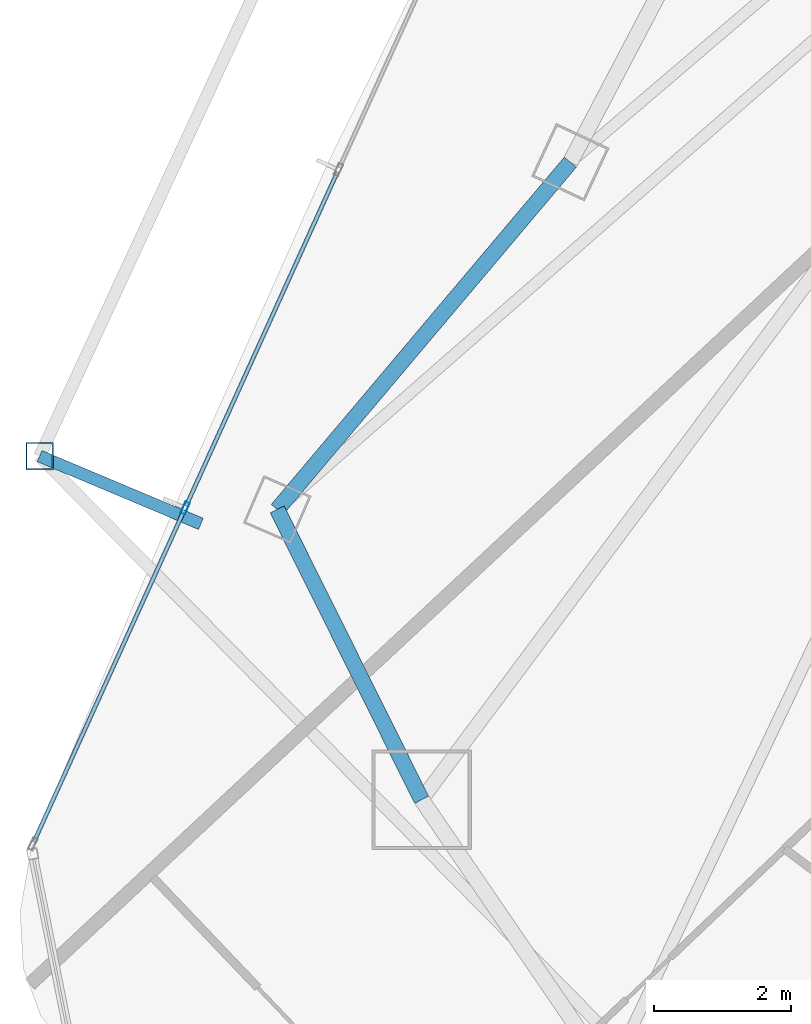
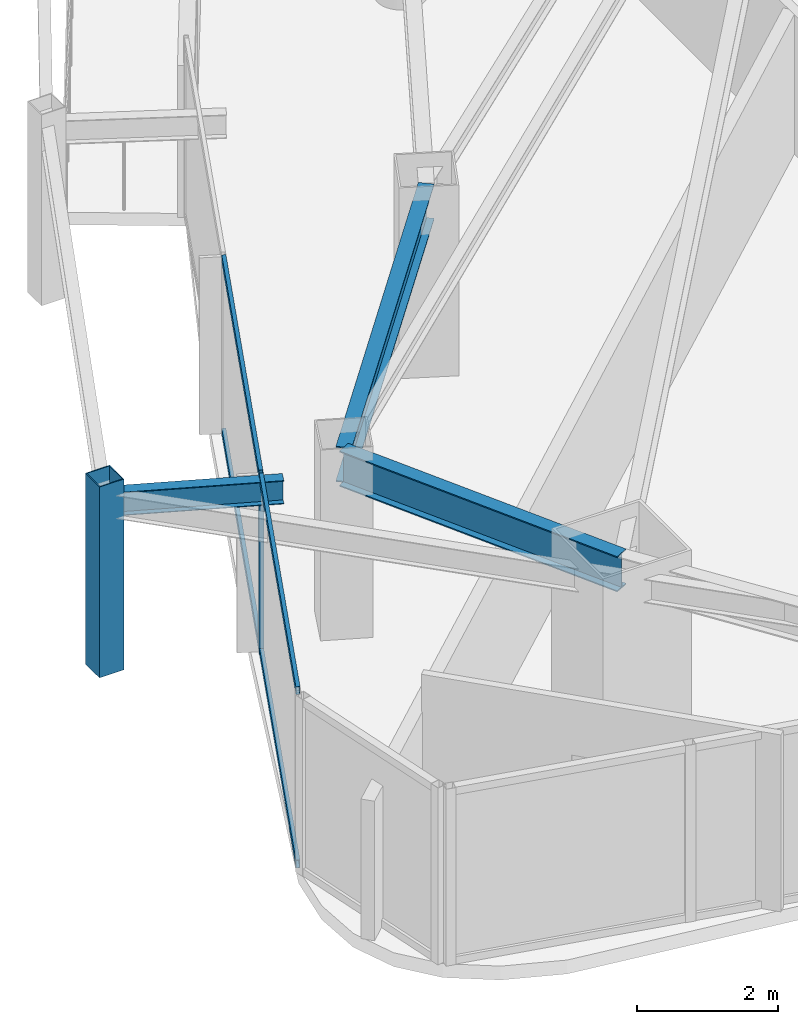
# One storey, part 5 of 29: 6 members, 3 beams, 1 element without a shape of its own.
"""IFC4 building model written with IfcOpenShell, lengths in metres."""

from ifc_helpers import new_model, si_unit, direction, frame, origin, origin_2d, place, context, subcontext, project, spatial, hollow_rectangle, i_section, extrude, material, layer, layer_set, material_profile, profile_set, type_object, element, aggregate, save


model = new_model("IFC4")

# Units and contexts
model_context = context("Model", 3, precision=1e-05, world=origin(), true_north=direction((0.0, 1.0)))
body_context = subcontext(model_context, "Body", "Model", "MODEL_VIEW")
ifc_project = project(units=[si_unit("LENGTHUNIT", "METRE"), si_unit("AREAUNIT", "SQUARE_METRE"), si_unit("VOLUMEUNIT", "CUBIC_METRE"), si_unit("PLANEANGLEUNIT", "RADIAN"), si_unit("MASSUNIT", "GRAM", prefix="KILO")], contexts=[model_context])

# Site, building, storey
site_placement = place(None, origin())
site = spatial("IfcSite", under=ifc_project, at=site_placement, CompositionType="ELEMENT")
building_placement = place(site_placement, origin())
building = spatial("IfcBuilding", under=site, at=building_placement, Name="Orvanel Arch Residences", CompositionType="ELEMENT")
storey_placement = place(building_placement, frame((0.0, 0.0, 170.449951171875)))
storey = spatial("IfcBuildingStorey", under=building, at=storey_placement, Name="L48", CompositionType="ELEMENT", Elevation=170.449951171875)

# Curtain wall, member
ifc_material_1 = material(Name="Bronze-anodised aluminium AA6063-T6", Category="aluminium")
ifc_layer = layer(ifc_material_1, 0.179931640625)
ifc_layer_set = layer_set([ifc_layer], Name="Bronze-anodised aluminium AA6063-T6")
curtain_wall_type = type_object("IfcCurtainWallType", Name="CW3-MID-SYS", PredefinedType="NOTDEFINED", material=ifc_layer_set)
curtain_wall_placement = place(storey_placement, origin())
curtain_wall = element("IfcCurtainWall", 1, at=curtain_wall_placement, inside=storey, type_object=curtain_wall_type, Name="L48 CW3-MID-SYS Unitised Curtain Wall", PredefinedType="NOTDEFINED")
ifc_material_profile_1 = material_profile(ifc_material_1, hollow_rectangle(XDim=0.070068359375, YDim=0.179931640625, WallThickness=0.00439453125, at=origin_2d()), Name="ALU180x70x4.5")
ifc_profile_set_1 = profile_set([ifc_material_profile_1], Name="Bronze-anodised aluminium AA6063-T6")
member_type_1 = type_object("IfcMemberType", Name="MUL-180x70", PredefinedType="MULLION", material=ifc_profile_set_1)
member_1_placement = place(storey_placement, frame((10.75341796875, 14.60107421875, 0.0), z_axis=(0.0, 0.0, 1.0), x_axis=(0.910855054441, -0.412726386119, 0.0)))
member_1 = element("IfcMember", 2, at=member_1_placement, type_object=member_type_1, Name="CW-S3 mullion 3", PredefinedType="MULLION", context=body_context, shape_type="SweptSolid", body=[
    extrude(hollow_rectangle(XDim=0.070068359375, YDim=0.179931640625, WallThickness=0.00439453125, at=origin_2d()), origin(), (0.0, 0.0, 1.0), 3.06005859375),
])

# Beams
ifc_material_2 = material(Name="Structural steel AS/NZS 3679.1 Grade 300 (300 MPa)", Category="steel")
ifc_material_profile_2 = material_profile(ifc_material_2, i_section(OverallWidth=0.177978515625, OverallDepth=0.406005859375, WebThickness=0.0078125, FlangeThickness=0.0126953125, at=origin_2d()), Name="410UB59.7")
ifc_profile_set_2 = profile_set([ifc_material_profile_2], Name="Structural steel AS/NZS 3679.1 Grade 300 (300 MPa)")
beam_type_1 = type_object("IfcBeamType", Name="OB-410UB-EXT", PredefinedType="SPANDREL", material=ifc_profile_set_2)
beam_1_placement = place(storey_placement, frame((10.98193359375, 14.37109375, 2.85693359375), z_axis=(-0.921862379893, 0.387517422239, 0.0), x_axis=(-0.387517422239, -0.921862379893, 0.0)))
element("IfcBeam", 3, at=beam_1_placement, inside=storey, type_object=beam_type_1, Name="L48 Outer Frame Radial Tie Beam 04", PredefinedType="SPANDREL", context=body_context, shape_type="SweptSolid", body=[
    extrude(i_section(OverallWidth=0.177978515625, OverallDepth=0.406005859375, WebThickness=0.0078125, FlangeThickness=0.0126953125, at=origin_2d()), origin(), (0.0, 0.0, 1.0), 2.549072265625),
])
ifc_material_profile_3 = material_profile(ifc_material_2, i_section(OverallWidth=0.22900390625, OverallDepth=0.612060546875, WebThickness=0.011962890625, FlangeThickness=0.01953125, at=origin_2d()), Name="610UB125")
ifc_profile_set_3 = profile_set([ifc_material_profile_3], Name="Structural steel AS/NZS 3679.1 Grade 300 (300 MPa)")
beam_type_2 = type_object("IfcBeamType", Name="SP-610UB", PredefinedType="SPANDREL", material=ifc_profile_set_3)
beam_2_placement = place(storey_placement, frame((16.366943359375, 19.64208984375, 2.754150390625), z_axis=(-0.644950329775, -0.764224490659, 0.0), x_axis=(0.764224490659, -0.644950329775, 0.0)))
element("IfcBeam", 4, at=beam_2_placement, inside=storey, type_object=beam_type_2, Name="L48 Perimeter Spandrel Beam 01", PredefinedType="SPANDREL", context=body_context, shape_type="SweptSolid", body=[
    extrude(i_section(OverallWidth=0.22900390625, OverallDepth=0.612060546875, WebThickness=0.011962890625, FlangeThickness=0.01953125, at=origin_2d()), origin(), (0.0, 0.0, 1.0), 6.623779296875),
])
beam_3_placement = place(storey_placement, frame((12.094970703125, 14.580078125, 2.754150390625), z_axis=(0.44543469453, -0.895314432425, 0.0), x_axis=(0.895314432425, 0.44543469453, 0.0)))
element("IfcBeam", 5, at=beam_3_placement, inside=storey, type_object=beam_type_2, Name="L48 Perimeter Spandrel Beam 02", PredefinedType="SPANDREL", context=body_context, shape_type="SweptSolid", body=[
    extrude(i_section(OverallWidth=0.22900390625, OverallDepth=0.612060546875, WebThickness=0.011962890625, FlangeThickness=0.01953125, at=origin_2d()), origin(), (0.0, 0.0, 1.0), 4.723388671875),
])

# Member
ifc_material_3 = material(Name="Structural steel AS/NZS 1163 C450L0 (Grade 450)", Category="steel")
ifc_material_profile_4 = material_profile(ifc_material_3, hollow_rectangle(XDim=0.39990234375, YDim=0.39990234375, WallThickness=0.01611328125, at=origin_2d()), Name="SHS400x400x16")
ifc_profile_set_4 = profile_set([ifc_material_profile_4], Name="Structural steel AS/NZS 1163 C450L0 (Grade 450)")
member_type_2 = type_object("IfcMemberType", Name="ST-400SHS-EXT", PredefinedType="STRUT", material=ifc_profile_set_4)
member_2_placement = place(storey_placement, frame((8.632080078125, 15.35888671875, 0.0), z_axis=(0.0, 0.0, 1.0), x_axis=(1.0, 0.0, 0.0)))
element("IfcMember", 6, at=member_2_placement, inside=storey, type_object=member_type_2, Name="L48 Outer Perimeter Frame Post 04", PredefinedType="STRUT", context=body_context, shape_type="SweptSolid", body=[
    extrude(hollow_rectangle(XDim=0.39990234375, YDim=0.39990234375, WallThickness=0.01611328125, at=origin_2d()), origin(), (0.0, 0.0, 1.0), 3.300048828125),
])

ifc_material_profile_5 = material_profile(ifc_material_1, hollow_rectangle(XDim=0.06005859375, YDim=0.135009765625, WallThickness=0.00390625, at=origin_2d()), Name="ALU135x60x4")
ifc_profile_set_5 = profile_set([ifc_material_profile_5], Name="Bronze-anodised aluminium AA6063-T6")
member_type_3 = type_object("IfcMemberType", Name="TRN-135x60", PredefinedType="USERDEFINED", material=ifc_profile_set_5)
member_3_placement = place(storey_placement, frame((12.97314453125, 19.5, 0.030029296875), z_axis=(-0.412711423874, -0.910861833981, 0.0), x_axis=(0.910861833981, -0.412711423874, 0.0)))
member_3 = element("IfcMember", 7, at=member_3_placement, type_object=member_type_3, Name="CW-S3 transom 2.1", ObjectType="TRANSOM", PredefinedType="USERDEFINED", context=body_context, shape_type="SweptSolid", body=[
    extrude(hollow_rectangle(XDim=0.06005859375, YDim=0.135009765625, WallThickness=0.00390625, at=origin_2d()), origin(), (0.0, 0.0, 1.0), 5.343505859375),
])

member_4_placement = place(storey_placement, frame((12.97314453125, 19.5, 3.030029296875), z_axis=(-0.412711423874, -0.910861833981, 0.0), x_axis=(0.910861833981, -0.412711423874, 0.0)))
member_4 = element("IfcMember", 8, at=member_4_placement, type_object=member_type_3, Name="CW-S3 transom 2.2", ObjectType="TRANSOM", PredefinedType="USERDEFINED", context=body_context, shape_type="SweptSolid", body=[
    extrude(hollow_rectangle(XDim=0.06005859375, YDim=0.135009765625, WallThickness=0.00390625, at=origin_2d()), origin(), (0.0, 0.0, 1.0), 5.343505859375),
])

member_5_placement = place(storey_placement, frame((10.73876953125, 14.569091796875, 0.030029296875), z_axis=(-0.412707722352, -0.910863511132, 0.0), x_axis=(0.910863511132, -0.412707722352, 0.0)))
member_5 = element("IfcMember", 9, at=member_5_placement, type_object=member_type_3, Name="CW-S3 transom 3.1", ObjectType="TRANSOM", PredefinedType="USERDEFINED", context=body_context, shape_type="SweptSolid", body=[
    extrude(hollow_rectangle(XDim=0.06005859375, YDim=0.135009765625, WallThickness=0.00390625, at=origin_2d()), origin(), (0.0, 0.0, 1.0), 5.30859375),
])

member_6_placement = place(storey_placement, frame((10.73876953125, 14.569091796875, 3.030029296875), z_axis=(-0.412707722352, -0.910863511132, 0.0), x_axis=(0.910863511132, -0.412707722352, 0.0)))
member_6 = element("IfcMember", 10, at=member_6_placement, type_object=member_type_3, Name="CW-S3 transom 3.2", ObjectType="TRANSOM", PredefinedType="USERDEFINED", context=body_context, shape_type="SweptSolid", body=[
    extrude(hollow_rectangle(XDim=0.06005859375, YDim=0.135009765625, WallThickness=0.00390625, at=origin_2d()), origin(), (0.0, 0.0, 1.0), 5.30859375),
])

aggregate(curtain_wall, [member_1, member_3, member_4, member_5, member_6])

save(model, "model.ifc")
